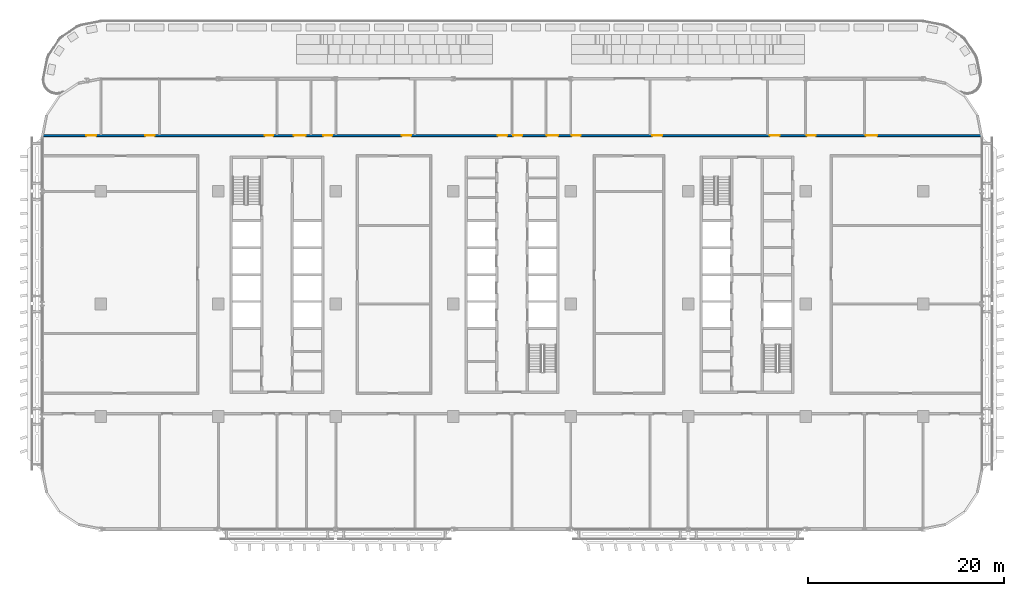
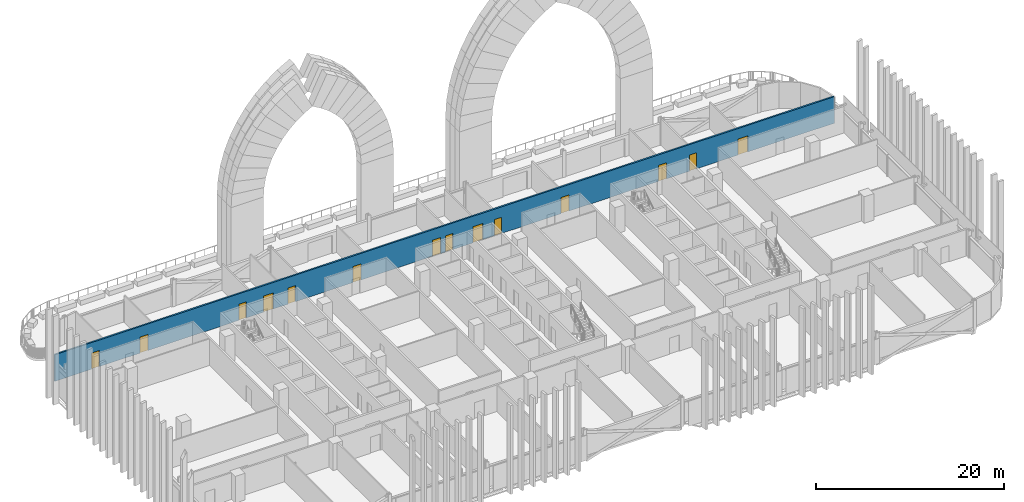
# One storey, part 13 of 30: 14 doors, 1 wall, 14 openings.
"""IFC4 building model written with IfcOpenShell, lengths in metres."""

from ifc_helpers import new_model, si_unit, direction, frame, frame_2d, origin, place, context, subcontext, project, spatial, rectangle, extrude, material, layer, layer_set, type_object, element, fill, save


model = new_model("IFC4")

# Units and contexts
model_context = context("Model", 3, precision=1e-05, world=origin(), true_north=direction((0.0, 1.0)))
body_context = subcontext(model_context, "Body", "Model", "MODEL_VIEW")
ifc_project = project(units=[si_unit("LENGTHUNIT", "METRE"), si_unit("AREAUNIT", "SQUARE_METRE"), si_unit("VOLUMEUNIT", "CUBIC_METRE"), si_unit("PLANEANGLEUNIT", "RADIAN"), si_unit("MASSUNIT", "GRAM", prefix="KILO")], contexts=[model_context])

# Site, building, storey
site_placement = place(None, origin())
site = spatial("IfcSite", under=ifc_project, at=site_placement, CompositionType="ELEMENT")
building_placement = place(site_placement, origin())
building = spatial("IfcBuilding", under=site, at=building_placement, Name="Mahtab Terrace Research Tower", CompositionType="ELEMENT")
storey_placement = place(building_placement, frame((0.0, 0.0, 159.199951171875)))
storey = spatial("IfcBuildingStorey", under=building, at=storey_placement, Name="L37", CompositionType="ELEMENT", Elevation=159.199951171875)

# Wall, openings, doors
ifc_material_1 = material(Name="Gypsum board corridor wall on steel studs", Category="steel")
ifc_layer = layer(ifc_material_1, 0.199951171875)
ifc_layer_set = layer_set([ifc_layer], Name="WALL CORRIDOR 200")
wall_type = type_object("IfcWallType", Name="WALL CORRIDOR 200", PredefinedType="PARTITIONING", material=ifc_layer_set)
wall_placement = place(storey_placement, frame((-47.97509765625, 17.199951171875, 0.0), z_axis=(0.0, 0.0, 1.0), x_axis=(1.0, 0.0, 0.0)))
wall = element("IfcWall", 1, at=wall_placement, inside=storey, type_object=wall_type, Name="L37-W028", PredefinedType="PARTITIONING", context=body_context, shape_type="SweptSolid", body=[
    extrude(rectangle(XDim=95.9501953125, YDim=0.199951171875, at=frame_2d((47.97509765625, 0.0))), origin(), (0.0, 0.0, 1.0), 3.4599609375),
])
opening_1_placement = place(wall_placement, frame((4.5, 0.0, 0.0)))
opening_1 = element("IfcOpeningElement", 2, at=opening_1_placement, cuts=wall, Name="Opening L37-127", PredefinedType="OPENING", context=body_context, shape_type="SweptSolid", body=[
    extrude(rectangle(XDim=1.0, YDim=2.10009765625, at=frame_2d((0.5, 1.050048828125))), frame((0.0, 0.10986328125, 0.0), z_axis=(0.0, -1.0, 0.0), x_axis=(1.0, 0.0, 0.0)), (0.0, 0.0, 1.0), 0.219970703125),
])
opening_2_placement = place(wall_placement, frame((10.5, 0.0, 0.0)))
opening_2 = element("IfcOpeningElement", 3, at=opening_2_placement, cuts=wall, Name="Opening L37-128", PredefinedType="OPENING", context=body_context, shape_type="SweptSolid", body=[
    extrude(rectangle(XDim=1.0, YDim=2.10009765625, at=frame_2d((0.5, 1.050048828125))), frame((0.0, 0.10986328125, 0.0), z_axis=(0.0, -1.0, 0.0), x_axis=(1.0, 0.0, 0.0)), (0.0, 0.0, 1.0), 0.219970703125),
])
opening_3_placement = place(wall_placement, frame((22.699951171875, 0.0, 0.0)))
opening_3 = element("IfcOpeningElement", 4, at=opening_3_placement, cuts=wall, Name="Opening L37-129", PredefinedType="OPENING", context=body_context, shape_type="SweptSolid", body=[
    extrude(rectangle(XDim=0.89990234375, YDim=2.10009765625, at=frame_2d((0.449951171875, 1.050048828125))), frame((0.0, 0.10986328125, 0.0), z_axis=(0.0, -1.0, 0.0), x_axis=(1.0, 0.0, 0.0)), (0.0, 0.0, 1.0), 0.219970703125),
])
opening_4_placement = place(wall_placement, frame((25.699951171875, 0.0, 0.0)))
opening_4 = element("IfcOpeningElement", 5, at=opening_4_placement, cuts=wall, Name="Opening L37-130", PredefinedType="OPENING", context=body_context, shape_type="SweptSolid", body=[
    extrude(rectangle(XDim=1.199951171875, YDim=2.10009765625, at=frame_2d((0.60009765625, 1.050048828125))), frame((0.0, 0.10986328125, 0.0), z_axis=(0.0, -1.0, 0.0), x_axis=(1.0, 0.0, 0.0)), (0.0, 0.0, 1.0), 0.219970703125),
])
opening_5_placement = place(wall_placement, frame((28.699951171875, 0.0, 0.0)))
opening_5 = element("IfcOpeningElement", 6, at=opening_5_placement, cuts=wall, Name="Opening L37-131", PredefinedType="OPENING", context=body_context, shape_type="SweptSolid", body=[
    extrude(rectangle(XDim=0.89990234375, YDim=2.10009765625, at=frame_2d((0.449951171875, 1.050048828125))), frame((0.0, 0.10986328125, 0.0), z_axis=(0.0, -1.0, 0.0), x_axis=(1.0, 0.0, 0.0)), (0.0, 0.0, 1.0), 0.219970703125),
])
opening_6_placement = place(wall_placement, frame((36.699951171875, 0.0, 0.0)))
opening_6 = element("IfcOpeningElement", 7, at=opening_6_placement, cuts=wall, Name="Opening L37-132", PredefinedType="OPENING", context=body_context, shape_type="SweptSolid", body=[
    extrude(rectangle(XDim=1.0, YDim=2.10009765625, at=frame_2d((0.5, 1.050048828125))), frame((0.0, 0.10986328125, 0.0), z_axis=(0.0, -1.0, 0.0), x_axis=(1.0, 0.0, 0.0)), (0.0, 0.0, 1.0), 0.219970703125),
])
opening_7_placement = place(wall_placement, frame((46.5, 0.0, 0.0)))
opening_7 = element("IfcOpeningElement", 8, at=opening_7_placement, cuts=wall, Name="Opening L37-133", PredefinedType="OPENING", context=body_context, shape_type="SweptSolid", body=[
    extrude(rectangle(XDim=1.0, YDim=2.10009765625, at=frame_2d((0.5, 1.050048828125))), frame((0.0, 0.10986328125, 0.0), z_axis=(0.0, -1.0, 0.0), x_axis=(1.0, 0.0, 0.0)), (0.0, 0.0, 1.0), 0.219970703125),
])
opening_8_placement = place(wall_placement, frame((48.10009765625, 0.0, 0.0)))
opening_8 = element("IfcOpeningElement", 9, at=opening_8_placement, cuts=wall, Name="Opening L37-134", PredefinedType="OPENING", context=body_context, shape_type="SweptSolid", body=[
    extrude(rectangle(XDim=0.89990234375, YDim=2.10009765625, at=frame_2d((0.449951171875, 1.050048828125))), frame((0.0, 0.10986328125, 0.0), z_axis=(0.0, -1.0, 0.0), x_axis=(1.0, 0.0, 0.0)), (0.0, 0.0, 1.0), 0.219970703125),
])
opening_9_placement = place(wall_placement, frame((51.5, 0.0, 0.0)))
opening_9 = element("IfcOpeningElement", 10, at=opening_9_placement, cuts=wall, Name="Opening L37-135", PredefinedType="OPENING", context=body_context, shape_type="SweptSolid", body=[
    extrude(rectangle(XDim=1.199951171875, YDim=2.10009765625, at=frame_2d((0.60009765625, 1.050048828125))), frame((0.0, 0.10986328125, 0.0), z_axis=(0.0, -1.0, 0.0), x_axis=(1.0, 0.0, 0.0)), (0.0, 0.0, 1.0), 0.219970703125),
])
opening_10_placement = place(wall_placement, frame((54.10009765625, 0.0, 0.0)))
opening_10 = element("IfcOpeningElement", 11, at=opening_10_placement, cuts=wall, Name="Opening L37-136", PredefinedType="OPENING", context=body_context, shape_type="SweptSolid", body=[
    extrude(rectangle(XDim=0.89990234375, YDim=2.10009765625, at=frame_2d((0.449951171875, 1.050048828125))), frame((0.0, 0.10986328125, 0.0), z_axis=(0.0, -1.0, 0.0), x_axis=(1.0, 0.0, 0.0)), (0.0, 0.0, 1.0), 0.219970703125),
])
opening_11_placement = place(wall_placement, frame((62.300048828125, 0.0, 0.0)))
opening_11 = element("IfcOpeningElement", 12, at=opening_11_placement, cuts=wall, Name="Opening L37-137", PredefinedType="OPENING", context=body_context, shape_type="SweptSolid", body=[
    extrude(rectangle(XDim=1.0, YDim=2.10009765625, at=frame_2d((0.5, 1.050048828125))), frame((0.0, 0.10986328125, 0.0), z_axis=(0.0, -1.0, 0.0), x_axis=(1.0, 0.0, 0.0)), (0.0, 0.0, 1.0), 0.219970703125),
])
opening_12_placement = place(wall_placement, frame((74.300048828125, 0.0, 0.0)))
opening_12 = element("IfcOpeningElement", 13, at=opening_12_placement, cuts=wall, Name="Opening L37-138", PredefinedType="OPENING", context=body_context, shape_type="SweptSolid", body=[
    extrude(rectangle(XDim=1.0, YDim=2.10009765625, at=frame_2d((0.5, 1.050048828125))), frame((0.0, 0.10986328125, 0.0), z_axis=(0.0, -1.0, 0.0), x_axis=(1.0, 0.0, 0.0)), (0.0, 0.0, 1.0), 0.219970703125),
])
opening_13_placement = place(wall_placement, frame((78.10009765625, 0.0, 0.0)))
opening_13 = element("IfcOpeningElement", 14, at=opening_13_placement, cuts=wall, Name="Opening L37-139", PredefinedType="OPENING", context=body_context, shape_type="SweptSolid", body=[
    extrude(rectangle(XDim=0.89990234375, YDim=2.10009765625, at=frame_2d((0.449951171875, 1.050048828125))), frame((0.0, 0.10986328125, 0.0), z_axis=(0.0, -1.0, 0.0), x_axis=(1.0, 0.0, 0.0)), (0.0, 0.0, 1.0), 0.219970703125),
])
opening_14_placement = place(wall_placement, frame((84.10009765625, 0.0, 0.0)))
opening_14 = element("IfcOpeningElement", 15, at=opening_14_placement, cuts=wall, Name="Opening L37-140", PredefinedType="OPENING", context=body_context, shape_type="SweptSolid", body=[
    extrude(rectangle(XDim=1.199951171875, YDim=2.10009765625, at=frame_2d((0.60009765625, 1.050048828125))), frame((0.0, 0.10986328125, 0.0), z_axis=(0.0, -1.0, 0.0), x_axis=(1.0, 0.0, 0.0)), (0.0, 0.0, 1.0), 0.219970703125),
])
ifc_material_2 = material(Name="Timber door leaf in steel frame", Category="steel")
door_type_1 = type_object("IfcDoorType", Name="DOOR 0900X2100 FD30S", OperationType="SINGLE_SWING_LEFT", PredefinedType="DOOR", material=ifc_material_2)
door_1_placement = place(opening_3_placement, origin())
door_1 = element("IfcDoor", 16, at=door_1_placement, inside=storey, type_object=door_type_1, Name="Door L37-129", OperationType="SINGLE_SWING_LEFT", OverallHeight=2.10009765625, OverallWidth=0.89990234375, PredefinedType="DOOR", context=body_context, shape_type="SweptSolid", body=[
    extrude(rectangle(XDim=0.89990234375, YDim=2.10009765625, at=frame_2d((0.449951171875, 1.050048828125))), frame((0.0, 0.02490234375, 0.0), z_axis=(0.0, -1.0, 0.0), x_axis=(1.0, 0.0, 0.0)), (0.0, 0.0, 1.0), 0.050048828125),
])
fill(opening_3, door_1)
door_2_placement = place(opening_5_placement, origin())
door_2 = element("IfcDoor", 17, at=door_2_placement, inside=storey, type_object=door_type_1, Name="Door L37-131", OperationType="SINGLE_SWING_LEFT", OverallHeight=2.10009765625, OverallWidth=0.89990234375, PredefinedType="DOOR", context=body_context, shape_type="SweptSolid", body=[
    extrude(rectangle(XDim=0.89990234375, YDim=2.10009765625, at=frame_2d((0.449951171875, 1.050048828125))), frame((0.0, 0.02490234375, 0.0), z_axis=(0.0, -1.0, 0.0), x_axis=(1.0, 0.0, 0.0)), (0.0, 0.0, 1.0), 0.050048828125),
])
fill(opening_5, door_2)
door_3_placement = place(opening_8_placement, origin())
door_3 = element("IfcDoor", 18, at=door_3_placement, inside=storey, type_object=door_type_1, Name="Door L37-134", OperationType="SINGLE_SWING_RIGHT", OverallHeight=2.10009765625, OverallWidth=0.89990234375, PredefinedType="DOOR", context=body_context, shape_type="SweptSolid", body=[
    extrude(rectangle(XDim=0.89990234375, YDim=2.10009765625, at=frame_2d((0.449951171875, 1.050048828125))), frame((0.0, 0.02490234375, 0.0), z_axis=(0.0, -1.0, 0.0), x_axis=(1.0, 0.0, 0.0)), (0.0, 0.0, 1.0), 0.050048828125),
])
fill(opening_8, door_3)
door_4_placement = place(opening_10_placement, origin())
door_4 = element("IfcDoor", 19, at=door_4_placement, inside=storey, type_object=door_type_1, Name="Door L37-136", OperationType="SINGLE_SWING_RIGHT", OverallHeight=2.10009765625, OverallWidth=0.89990234375, PredefinedType="DOOR", context=body_context, shape_type="SweptSolid", body=[
    extrude(rectangle(XDim=0.89990234375, YDim=2.10009765625, at=frame_2d((0.449951171875, 1.050048828125))), frame((0.0, 0.02490234375, 0.0), z_axis=(0.0, -1.0, 0.0), x_axis=(1.0, 0.0, 0.0)), (0.0, 0.0, 1.0), 0.050048828125),
])
fill(opening_10, door_4)
door_5_placement = place(opening_13_placement, origin())
door_5 = element("IfcDoor", 20, at=door_5_placement, inside=storey, type_object=door_type_1, Name="Door L37-139", OperationType="SINGLE_SWING_RIGHT", OverallHeight=2.10009765625, OverallWidth=0.89990234375, PredefinedType="DOOR", context=body_context, shape_type="SweptSolid", body=[
    extrude(rectangle(XDim=0.89990234375, YDim=2.10009765625, at=frame_2d((0.449951171875, 1.050048828125))), frame((0.0, 0.02490234375, 0.0), z_axis=(0.0, -1.0, 0.0), x_axis=(1.0, 0.0, 0.0)), (0.0, 0.0, 1.0), 0.050048828125),
])
fill(opening_13, door_5)
door_type_2 = type_object("IfcDoorType", Name="DOOR 1000X2100 FD30S", OperationType="SINGLE_SWING_LEFT", PredefinedType="DOOR", material=ifc_material_2)
door_6_placement = place(opening_1_placement, origin())
door_6 = element("IfcDoor", 21, at=door_6_placement, inside=storey, type_object=door_type_2, Name="Door L37-127", OperationType="SINGLE_SWING_LEFT", OverallHeight=2.10009765625, OverallWidth=1.0, PredefinedType="DOOR", context=body_context, shape_type="SweptSolid", body=[
    extrude(rectangle(XDim=1.0, YDim=2.10009765625, at=frame_2d((0.5, 1.050048828125))), frame((0.0, 0.02490234375, 0.0), z_axis=(0.0, -1.0, 0.0), x_axis=(1.0, 0.0, 0.0)), (0.0, 0.0, 1.0), 0.050048828125),
])
fill(opening_1, door_6)
door_7_placement = place(opening_2_placement, origin())
door_7 = element("IfcDoor", 22, at=door_7_placement, inside=storey, type_object=door_type_2, Name="Door L37-128", OperationType="SINGLE_SWING_LEFT", OverallHeight=2.10009765625, OverallWidth=1.0, PredefinedType="DOOR", context=body_context, shape_type="SweptSolid", body=[
    extrude(rectangle(XDim=1.0, YDim=2.10009765625, at=frame_2d((0.5, 1.050048828125))), frame((0.0, 0.02490234375, 0.0), z_axis=(0.0, -1.0, 0.0), x_axis=(1.0, 0.0, 0.0)), (0.0, 0.0, 1.0), 0.050048828125),
])
fill(opening_2, door_7)
door_8_placement = place(opening_6_placement, origin())
door_8 = element("IfcDoor", 23, at=door_8_placement, inside=storey, type_object=door_type_2, Name="Door L37-132", OperationType="SINGLE_SWING_LEFT", OverallHeight=2.10009765625, OverallWidth=1.0, PredefinedType="DOOR", context=body_context, shape_type="SweptSolid", body=[
    extrude(rectangle(XDim=1.0, YDim=2.10009765625, at=frame_2d((0.5, 1.050048828125))), frame((0.0, 0.02490234375, 0.0), z_axis=(0.0, -1.0, 0.0), x_axis=(1.0, 0.0, 0.0)), (0.0, 0.0, 1.0), 0.050048828125),
])
fill(opening_6, door_8)
door_9_placement = place(opening_7_placement, origin())
door_9 = element("IfcDoor", 24, at=door_9_placement, inside=storey, type_object=door_type_2, Name="Door L37-133", OperationType="SINGLE_SWING_LEFT", OverallHeight=2.10009765625, OverallWidth=1.0, PredefinedType="DOOR", context=body_context, shape_type="SweptSolid", body=[
    extrude(rectangle(XDim=1.0, YDim=2.10009765625, at=frame_2d((0.5, 1.050048828125))), frame((0.0, 0.02490234375, 0.0), z_axis=(0.0, -1.0, 0.0), x_axis=(1.0, 0.0, 0.0)), (0.0, 0.0, 1.0), 0.050048828125),
])
fill(opening_7, door_9)
door_10_placement = place(opening_11_placement, origin())
door_10 = element("IfcDoor", 25, at=door_10_placement, inside=storey, type_object=door_type_2, Name="Door L37-137", OperationType="SINGLE_SWING_RIGHT", OverallHeight=2.10009765625, OverallWidth=1.0, PredefinedType="DOOR", context=body_context, shape_type="SweptSolid", body=[
    extrude(rectangle(XDim=1.0, YDim=2.10009765625, at=frame_2d((0.5, 1.050048828125))), frame((0.0, 0.02490234375, 0.0), z_axis=(0.0, -1.0, 0.0), x_axis=(1.0, 0.0, 0.0)), (0.0, 0.0, 1.0), 0.050048828125),
])
fill(opening_11, door_10)
door_11_placement = place(opening_12_placement, origin())
door_11 = element("IfcDoor", 26, at=door_11_placement, inside=storey, type_object=door_type_2, Name="Door L37-138", OperationType="SINGLE_SWING_RIGHT", OverallHeight=2.10009765625, OverallWidth=1.0, PredefinedType="DOOR", context=body_context, shape_type="SweptSolid", body=[
    extrude(rectangle(XDim=1.0, YDim=2.10009765625, at=frame_2d((0.5, 1.050048828125))), frame((0.0, 0.02490234375, 0.0), z_axis=(0.0, -1.0, 0.0), x_axis=(1.0, 0.0, 0.0)), (0.0, 0.0, 1.0), 0.050048828125),
])
fill(opening_12, door_11)
door_type_3 = type_object("IfcDoorType", Name="DOOR 1200X2100 FD30S", OperationType="SINGLE_SWING_LEFT", PredefinedType="DOOR", material=ifc_material_2)
door_12_placement = place(opening_4_placement, origin())
door_12 = element("IfcDoor", 27, at=door_12_placement, inside=storey, type_object=door_type_3, Name="Door L37-130", OperationType="SINGLE_SWING_LEFT", OverallHeight=2.10009765625, OverallWidth=1.199951171875, PredefinedType="DOOR", context=body_context, shape_type="SweptSolid", body=[
    extrude(rectangle(XDim=1.199951171875, YDim=2.10009765625, at=frame_2d((0.60009765625, 1.050048828125))), frame((0.0, 0.02490234375, 0.0), z_axis=(0.0, -1.0, 0.0), x_axis=(1.0, 0.0, 0.0)), (0.0, 0.0, 1.0), 0.050048828125),
])
fill(opening_4, door_12)
door_13_placement = place(opening_9_placement, origin())
door_13 = element("IfcDoor", 28, at=door_13_placement, inside=storey, type_object=door_type_3, Name="Door L37-135", OperationType="SINGLE_SWING_RIGHT", OverallHeight=2.10009765625, OverallWidth=1.199951171875, PredefinedType="DOOR", context=body_context, shape_type="SweptSolid", body=[
    extrude(rectangle(XDim=1.199951171875, YDim=2.10009765625, at=frame_2d((0.60009765625, 1.050048828125))), frame((0.0, 0.02490234375, 0.0), z_axis=(0.0, -1.0, 0.0), x_axis=(1.0, 0.0, 0.0)), (0.0, 0.0, 1.0), 0.050048828125),
])
fill(opening_9, door_13)
door_14_placement = place(opening_14_placement, origin())
door_14 = element("IfcDoor", 29, at=door_14_placement, inside=storey, type_object=door_type_3, Name="Door L37-140", OperationType="SINGLE_SWING_RIGHT", OverallHeight=2.10009765625, OverallWidth=1.199951171875, PredefinedType="DOOR", context=body_context, shape_type="SweptSolid", body=[
    extrude(rectangle(XDim=1.199951171875, YDim=2.10009765625, at=frame_2d((0.60009765625, 1.050048828125))), frame((0.0, 0.02490234375, 0.0), z_axis=(0.0, -1.0, 0.0), x_axis=(1.0, 0.0, 0.0)), (0.0, 0.0, 1.0), 0.050048828125),
])
fill(opening_14, door_14)

save(model, "model.ifc")
